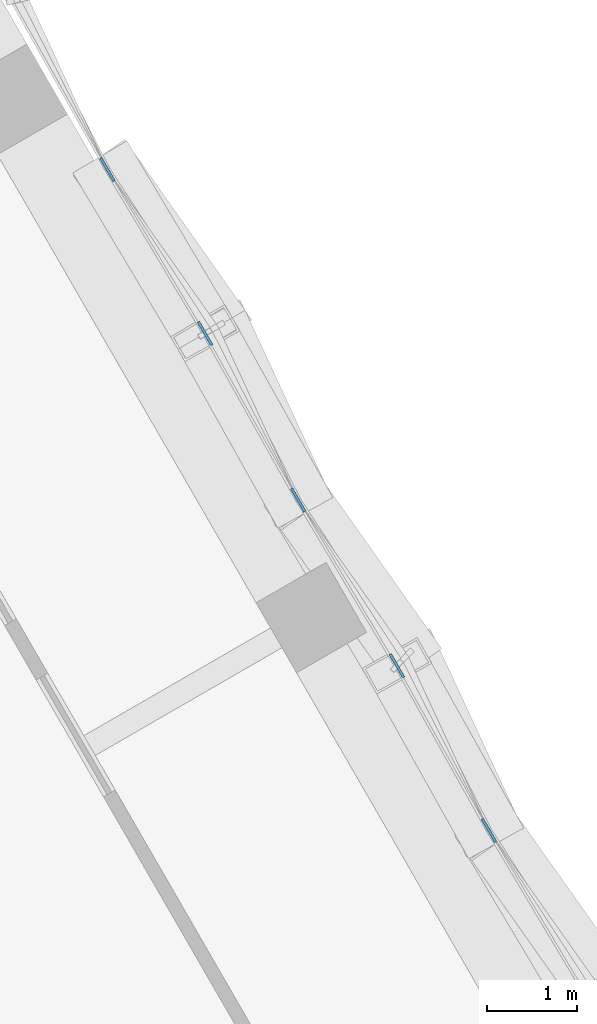
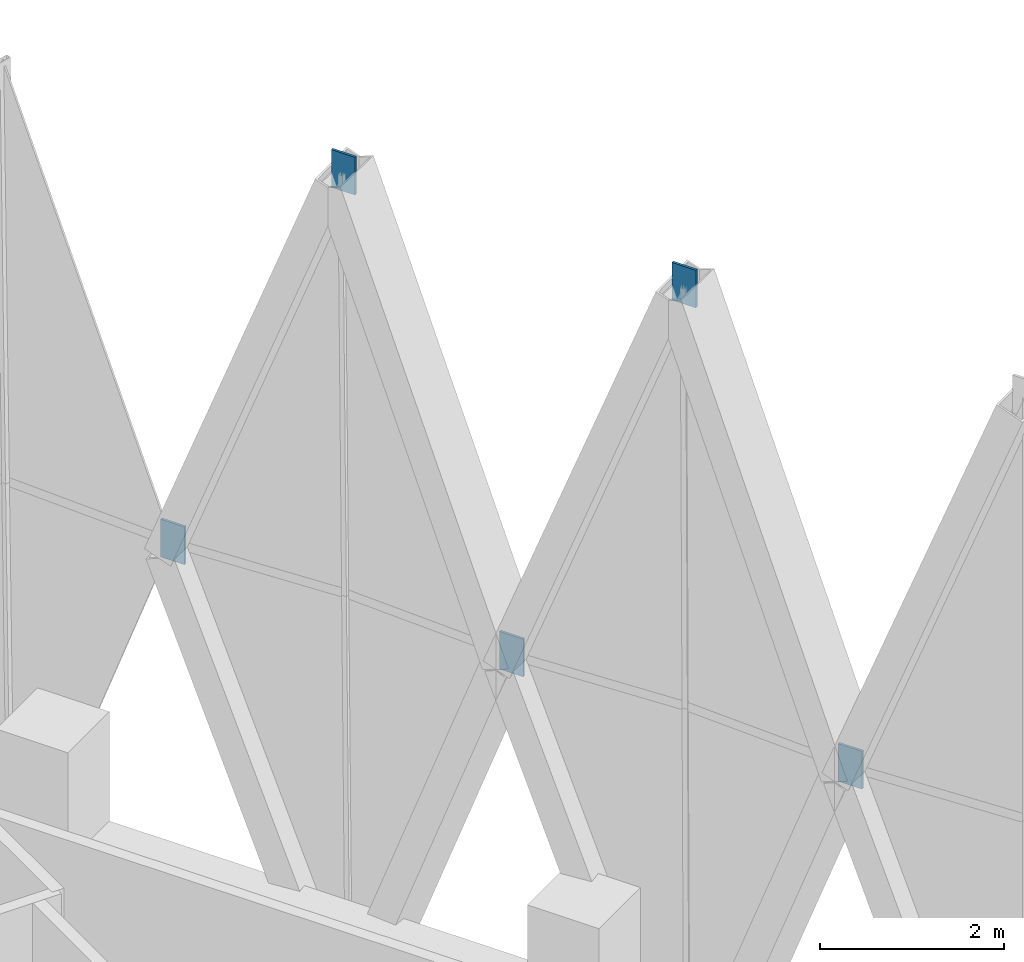
# One storey, part 36 of 37: 5 discrete accessories.
"""IFC4 building model written with IfcOpenShell, lengths in metres."""

from ifc_helpers import new_model, si_unit, direction, frame, origin, origin_2d, place, context, subcontext, project, spatial, rectangle, extrude, material, layer, layer_set, type_object, element, save


model = new_model("IFC4")

# Units and contexts
model_context = context("Model", 3, precision=1e-05, world=origin(), true_north=direction((0.0, 1.0)))
body_context = subcontext(model_context, "Body", "Model", "MODEL_VIEW")
ifc_project = project(units=[si_unit("LENGTHUNIT", "METRE"), si_unit("AREAUNIT", "SQUARE_METRE"), si_unit("VOLUMEUNIT", "CUBIC_METRE"), si_unit("PLANEANGLEUNIT", "RADIAN"), si_unit("MASSUNIT", "GRAM", prefix="KILO")], contexts=[model_context])

# Site, building, storey
site_placement = place(None, origin())
site = spatial("IfcSite", under=ifc_project, at=site_placement, CompositionType="ELEMENT")
building_placement = place(site_placement, origin())
building = spatial("IfcBuilding", under=site, at=building_placement, Name="Ostrander Bayou Hotel Tower", CompositionType="ELEMENT")
storey_placement = place(building_placement, frame((0.0, 0.0, 225.75)))
storey = spatial("IfcBuildingStorey", under=building, at=storey_placement, Name="L56", CompositionType="ELEMENT", Elevation=225.75)

# Discrete accessories
ifc_material = material(Name="Steel ASTM A572 Gr 50", Category="steel")
ifc_layer = layer(ifc_material, 0.030029296875)
ifc_layer_set = layer_set([ifc_layer], Name="GP1 gusset plate 30 mm")
discrete_accessory_type = type_object("IfcDiscreteAccessoryType", Name="GP1 gusset plate 30 mm", PredefinedType="BRACKET", material=ifc_layer_set)
for number, where, z_axis, x_axis, name in (
    (1, (18.093017578125, 3.08984375, 4.77490234375), (0.0, 0.0, 1.0), (-0.5, 0.866025403784, 0.0), "GP1 gusset plate lat 371"),
    (2, (17.068115234375, 4.9228515625, 10.39990234375), (0.0, 0.0, 1.0), (-0.5, 0.866025403784, 0.0), "GP1 gusset plate lat 373"),
    (3, (15.969482421875, 6.767822265625, 4.77490234375), (0.0, 0.0, 1.0), (-0.5, 0.866025403784, 0.0), "GP1 gusset plate lat 374"),
    (4, (14.9326171875, 8.621337890625, 10.39990234375), (0.0, 0.0, 1.0), (-0.5, 0.866025403784, 0.0), "GP1 gusset plate lat 375"),
    (5, (13.845947265625, 10.446044921875, 4.77490234375), (0.0, 0.0, 1.0), (-0.5, 0.866025403784, 0.0), "GP1 gusset plate lat 376"),
):
    element("IfcDiscreteAccessory", number, at=place(storey_placement, frame(where, z_axis=z_axis, x_axis=x_axis)), inside=storey, type_object=discrete_accessory_type, Name=name, PredefinedType="BRACKET", context=body_context, shape_type="SweptSolid", body=[
        extrude(rectangle(XDim=0.300048828125, YDim=0.030029296875, at=origin_2d()), origin(), (0.0, 0.0, 1.0), 0.5),
    ])

save(model, "model.ifc")
